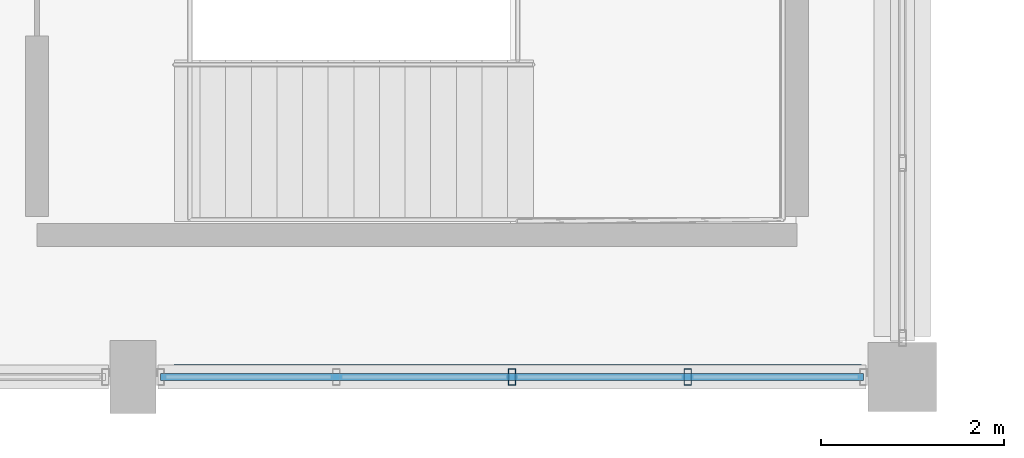
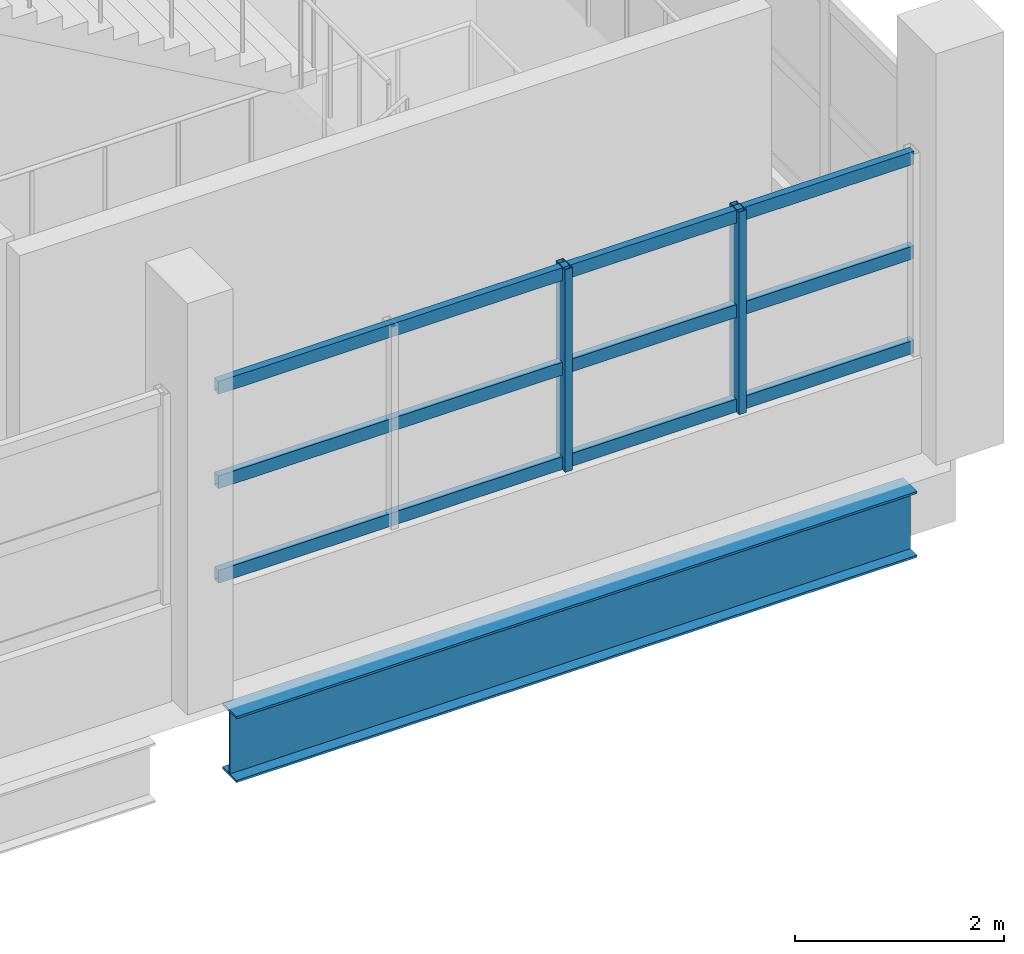
# One storey, part 65 of 117: 5 members, 1 beam, 1 element without a shape of its own.
"""IFC4 building model written with IfcOpenShell, lengths in metres."""

from ifc_helpers import new_model, si_unit, direction, frame, origin, origin_2d, place, context, subcontext, project, spatial, hollow_rectangle, i_section, extrude, material, material_profile, profile_set, type_object, element, aggregate, save


model = new_model("IFC4")

# Units and contexts
model_context = context("Model", 3, precision=1e-05, world=origin(), true_north=direction((0.0, 1.0)))
body_context = subcontext(model_context, "Body", "Model", "MODEL_VIEW")
ifc_project = project(units=[si_unit("LENGTHUNIT", "METRE"), si_unit("AREAUNIT", "SQUARE_METRE"), si_unit("VOLUMEUNIT", "CUBIC_METRE"), si_unit("PLANEANGLEUNIT", "RADIAN"), si_unit("MASSUNIT", "GRAM", prefix="KILO")], contexts=[model_context])

# Site, building, storey
site_placement = place(None, origin())
site = spatial("IfcSite", under=ifc_project, at=site_placement, CompositionType="ELEMENT")
building_placement = place(site_placement, origin())
building = spatial("IfcBuilding", under=site, at=building_placement, Name="Solvento Point Concert Hall", CompositionType="ELEMENT")
storey_placement = place(building_placement, frame((0.0, 0.0, 5.39990234375)))
storey = spatial("IfcBuildingStorey", under=building, at=storey_placement, Name="L01", CompositionType="ELEMENT", Elevation=5.39990234375)

# Beam
ifc_material_1 = material(Name="Structural Steel ASTM A992 Grade 50", Category="steel")
ifc_material_profile_1 = material_profile(ifc_material_1, i_section(OverallWidth=0.26806640625, OverallDepth=0.77001953125, WebThickness=0.015625, FlangeThickness=0.025390625, at=origin_2d()), Name="W30X132")
ifc_profile_set_1 = profile_set([ifc_material_profile_1], Name="Structural Steel ASTM A992 Grade 50")
beam_type = type_object("IfcBeamType", Name="Girder_W30X132", PredefinedType="USERDEFINED", material=ifc_profile_set_1)
beam_placement = place(storey_placement, frame((200.843994140625, 0.0, -0.808837890625), z_axis=(1.0, 0.0, 0.0), x_axis=(0.0, 1.0, 0.0)))
element("IfcBeam", 1, at=beam_placement, inside=storey, type_object=beam_type, Name="Primary girder B-68 L01", ObjectType="GIRDER", PredefinedType="USERDEFINED", context=body_context, shape_type="SweptSolid", body=[
    extrude(i_section(OverallWidth=0.26806640625, OverallDepth=0.77001953125, WebThickness=0.015625, FlangeThickness=0.025390625, at=origin_2d()), origin(), (0.0, 0.0, 1.0), 7.511962890625),
])

# Curtain wall, members
ifc_material_2 = material(Name="Anodized Bronze Aluminium", Category="aluminium")
curtain_wall_type = type_object("IfcCurtainWallType", Name="CurtainWall_ChamberCircle", PredefinedType="USERDEFINED", material=ifc_material_2)
curtain_wall_placement = place(storey_placement, origin())
curtain_wall = element("IfcCurtainWall", 2, at=curtain_wall_placement, inside=storey, type_object=curtain_wall_type, Name="Unitised curtain wall CW-32 UCW-L01-092", ObjectType="UNITISED CURTAIN WALL", PredefinedType="USERDEFINED")
ifc_material_3 = material(Name="Anodized Bronze Aluminium", Category="aluminium")
ifc_material_profile_2 = material_profile(ifc_material_3, hollow_rectangle(XDim=0.080078125, YDim=0.179931640625, WallThickness=0.00390625, at=origin_2d()), Name="CW-MUL-80X180")
ifc_profile_set_2 = profile_set([ifc_material_profile_2], Name="Anodized Bronze Aluminium")
member_type_1 = type_object("IfcMemberType", Name="Mullion_80x180", PredefinedType="MULLION", material=ifc_profile_set_2)
member_1_placement = place(storey_placement, frame((204.53759765625, 0.0, 1.1201171875), z_axis=(0.0, 0.0, 1.0), x_axis=(1.0, 0.0, 0.0)))
member_1 = element("IfcMember", 3, at=member_1_placement, type_object=member_type_1, Name="Curtain wall mullion ML-01", PredefinedType="MULLION", context=body_context, shape_type="SweptSolid", body=[
    extrude(hollow_rectangle(XDim=0.080078125, YDim=0.179931640625, WallThickness=0.00390625, at=origin_2d()), origin(), (0.0, 0.0, 1.0), 2.364990234375),
])
member_2_placement = place(storey_placement, frame((206.456298828125, 0.0, 1.1201171875), z_axis=(0.0, 0.0, 1.0), x_axis=(1.0, 0.0, 0.0)))
member_2 = element("IfcMember", 4, at=member_2_placement, type_object=member_type_1, Name="Curtain wall mullion ML-01", PredefinedType="MULLION", context=body_context, shape_type="SweptSolid", body=[
    extrude(hollow_rectangle(XDim=0.080078125, YDim=0.179931640625, WallThickness=0.00390625, at=origin_2d()), origin(), (0.0, 0.0, 1.0), 2.364990234375),
])
ifc_material_4 = material(Name="Anodized Bronze Aluminium", Category="aluminium")
ifc_material_profile_3 = material_profile(ifc_material_4, hollow_rectangle(XDim=0.080078125, YDim=0.14990234375, WallThickness=0.00390625, at=origin_2d()), Name="CW-TRN-80X150")
ifc_profile_set_3 = profile_set([ifc_material_profile_3], Name="Anodized Bronze Aluminium")
member_type_2 = type_object("IfcMemberType", Name="Transom_80x150", PredefinedType="USERDEFINED", material=ifc_profile_set_3)
member_3_placement = place(storey_placement, frame((200.699951171875, 0.0, 1.2001953125), z_axis=(1.0, 0.0, 0.0), x_axis=(0.0, 1.0, 0.0)))
member_3 = element("IfcMember", 5, at=member_3_placement, type_object=member_type_2, Name="Curtain wall transom TR-01", ObjectType="TRANSOM", PredefinedType="USERDEFINED", context=body_context, shape_type="SweptSolid", body=[
    extrude(hollow_rectangle(XDim=0.080078125, YDim=0.14990234375, WallThickness=0.00390625, at=origin_2d()), origin(), (0.0, 0.0, 1.0), 7.675048828125),
])
member_4_placement = place(storey_placement, frame((200.699951171875, 0.0, 2.302490234375), z_axis=(1.0, 0.0, 0.0), x_axis=(0.0, 1.0, 0.0)))
member_4 = element("IfcMember", 6, at=member_4_placement, type_object=member_type_2, Name="Curtain wall transom TR-01", ObjectType="TRANSOM", PredefinedType="USERDEFINED", context=body_context, shape_type="SweptSolid", body=[
    extrude(hollow_rectangle(XDim=0.080078125, YDim=0.14990234375, WallThickness=0.00390625, at=origin_2d()), origin(), (0.0, 0.0, 1.0), 7.675048828125),
])
member_5_placement = place(storey_placement, frame((200.699951171875, 0.0, 3.405029296875), z_axis=(1.0, 0.0, 0.0), x_axis=(0.0, 1.0, 0.0)))
member_5 = element("IfcMember", 7, at=member_5_placement, type_object=member_type_2, Name="Curtain wall transom TR-01", ObjectType="TRANSOM", PredefinedType="USERDEFINED", context=body_context, shape_type="SweptSolid", body=[
    extrude(hollow_rectangle(XDim=0.080078125, YDim=0.14990234375, WallThickness=0.00390625, at=origin_2d()), origin(), (0.0, 0.0, 1.0), 7.675048828125),
])
aggregate(curtain_wall, [member_1, member_2, member_3, member_4, member_5])

save(model, "model.ifc")
